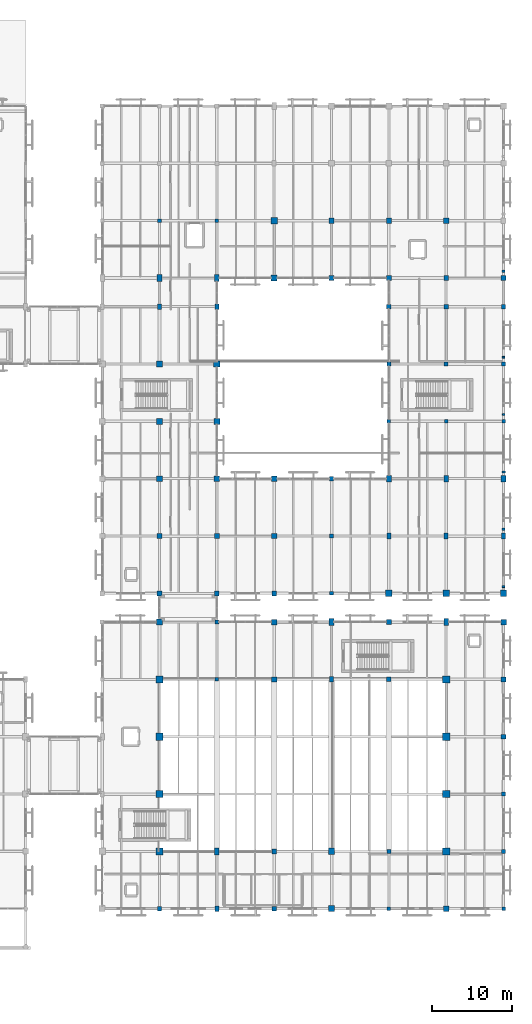
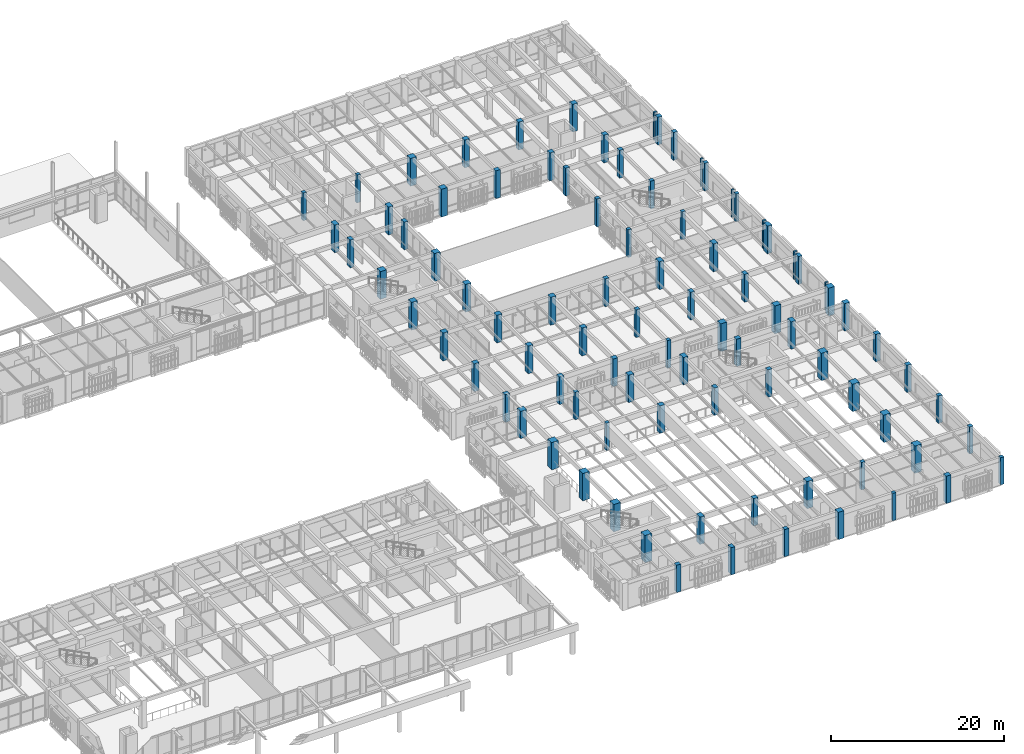
# One storey, part 17 of 170: 89 columns.
"""IFC4 building model written with IfcOpenShell, lengths in metres."""

from ifc_helpers import new_model, si_unit, direction, frame, origin, origin_2d, place, context, subcontext, project, spatial, rectangle, extrude, material, material_profile, profile_set, type_object, element, save


model = new_model("IFC4")

# Units and contexts
model_context = context("Model", 3, precision=1e-05, world=origin(), true_north=direction((0.0, 1.0)))
body_context = subcontext(model_context, "Body", "Model", "MODEL_VIEW")
ifc_project = project(units=[si_unit("LENGTHUNIT", "METRE"), si_unit("AREAUNIT", "SQUARE_METRE"), si_unit("VOLUMEUNIT", "CUBIC_METRE"), si_unit("PLANEANGLEUNIT", "RADIAN"), si_unit("MASSUNIT", "GRAM", prefix="KILO")], contexts=[model_context])

# Site, building, storey
site_placement = place(None, origin())
site = spatial("IfcSite", under=ifc_project, at=site_placement, CompositionType="ELEMENT")
building_placement = place(site_placement, origin())
building = spatial("IfcBuilding", under=site, at=building_placement, Name="Mazaris Harbour Polytechnic", CompositionType="ELEMENT")
storey_placement = place(building_placement, frame((0.0, 0.0, 5.39990234375)))
storey = spatial("IfcBuildingStorey", under=building, at=storey_placement, Name="L01", CompositionType="ELEMENT", Elevation=5.39990234375)

# Columns
ifc_material_1 = material(Name="Concrete C35/45", Category="concrete")
ifc_material_profile_1 = material_profile(ifc_material_1, rectangle(XDim=0.320068359375, YDim=0.219970703125, at=origin_2d()), Name="RECT320x220")
ifc_profile_set_1 = profile_set([ifc_material_profile_1], Name="Concrete C35/45")
column_type_1 = type_object("IfcColumnType", Name="Limestone Pilaster 320x220", PredefinedType="PILASTER", material=ifc_profile_set_1)
column_1_placement = place(storey_placement, frame((172.800048828125, 69.25, 0.0), z_axis=(0.0, 0.0, 1.0), x_axis=(1.0, 0.0, 0.0)))
element("IfcColumn", 1, at=column_1_placement, inside=storey, type_object=column_type_1, Name="V5 L01 Giant Order Pilaster 68", PredefinedType="PILASTER", context=body_context, shape_type="SweptSolid", body=[
    extrude(rectangle(XDim=0.320068359375, YDim=0.219970703125, at=origin_2d()), origin(), (0.0, 0.0, 1.0), 3.920166015625),
])
ifc_material_2 = material(Name="Concrete C35/45", Category="concrete")
ifc_material_profile_2 = material_profile(ifc_material_2, rectangle(XDim=0.360107421875, YDim=0.239990234375, at=origin_2d()), Name="RECT360x240")
ifc_profile_set_2 = profile_set([ifc_material_profile_2], Name="Concrete C35/45")
column_type_2 = type_object("IfcColumnType", Name="Limestone Pilaster 360x240", PredefinedType="PILASTER", material=ifc_profile_set_2)
for number, where, z_axis, x_axis, name in (
    (2, (172.800048828125, 47.64990234375, 0.0), (0.0, 0.0, 1.0), (1.0, 0.0, 0.0), "V5 L01 Giant Order Pilaster 65"),
    (3, (172.800048828125, 76.449951171875, 0.0), (0.0, 0.0, 1.0), (1.0, 0.0, 0.0), "V5 L01 Giant Order Pilaster 69"),
):
    element("IfcColumn", number, at=place(storey_placement, frame(where, z_axis=z_axis, x_axis=x_axis)), inside=storey, type_object=column_type_2, Name=name, PredefinedType="PILASTER", context=body_context, shape_type="SweptSolid", body=[
        extrude(rectangle(XDim=0.360107421875, YDim=0.239990234375, at=origin_2d()), origin(), (0.0, 0.0, 1.0), 3.920166015625),
    ])
ifc_material_3 = material(Name="Concrete C35/45", Category="concrete")
ifc_material_profile_3 = material_profile(ifc_material_3, rectangle(XDim=0.39990234375, YDim=0.260009765625, at=origin_2d()), Name="RECT400x260")
ifc_profile_set_3 = profile_set([ifc_material_profile_3], Name="Concrete C35/45")
column_type_3 = type_object("IfcColumnType", Name="Limestone Pilaster 400x260", PredefinedType="PILASTER", material=ifc_profile_set_3)
for number, where, z_axis, x_axis, name in (
    (4, (172.800048828125, 54.85009765625, 0.0), (0.0, 0.0, 1.0), (1.0, 0.0, 0.0), "V5 L01 Giant Order Pilaster 66"),
    (5, (172.800048828125, 87.25, 0.0), (0.0, 0.0, 1.0), (1.0, 0.0, 0.0), "V5 L01 Giant Order Pilaster 70"),
):
    element("IfcColumn", number, at=place(storey_placement, frame(where, z_axis=z_axis, x_axis=x_axis)), inside=storey, type_object=column_type_3, Name=name, PredefinedType="PILASTER", context=body_context, shape_type="SweptSolid", body=[
        extrude(rectangle(XDim=0.39990234375, YDim=0.260009765625, at=origin_2d()), origin(), (0.0, 0.0, 1.0), 3.920166015625),
    ])
ifc_material_4 = material(Name="Concrete C35/45", Category="concrete")
ifc_material_profile_4 = material_profile(ifc_material_4, rectangle(XDim=0.43994140625, YDim=0.280029296875, at=origin_2d()), Name="RECT440x280")
ifc_profile_set_4 = profile_set([ifc_material_profile_4], Name="Concrete C35/45")
column_type_4 = type_object("IfcColumnType", Name="Limestone Pilaster 440x280", PredefinedType="PILASTER", material=ifc_profile_set_4)
column_2_placement = place(storey_placement, frame((172.800048828125, 62.050048828125, 0.0), z_axis=(0.0, 0.0, 1.0), x_axis=(1.0, 0.0, 0.0)))
element("IfcColumn", 6, at=column_2_placement, inside=storey, type_object=column_type_4, Name="V5 L01 Giant Order Pilaster 67", PredefinedType="PILASTER", context=body_context, shape_type="SweptSolid", body=[
    extrude(rectangle(XDim=0.43994140625, YDim=0.280029296875, at=origin_2d()), origin(), (0.0, 0.0, 1.0), 3.920166015625),
])
ifc_material_5 = material(Name="Concrete C40/50", Category="concrete")
ifc_material_profile_5 = material_profile(ifc_material_5, rectangle(XDim=0.449951171875, YDim=0.449951171875, at=origin_2d()), Name="RECT450x450")
ifc_profile_set_5 = profile_set([ifc_material_profile_5], Name="Concrete C40/50")
column_type_5 = type_object("IfcColumnType", Name="RC Column 450x450", PredefinedType="COLUMN", material=ifc_profile_set_5)
column_3_placement = place(storey_placement, frame((136.800048828125, 36.0, 0.0), z_axis=(0.0, 0.0, 1.0), x_axis=(1.0, 0.0, 0.0)))
element("IfcColumn", 7, at=column_3_placement, inside=storey, type_object=column_type_5, Name="V2 L01 Column 279", PredefinedType="COLUMN", context=body_context, shape_type="SweptSolid", body=[
    extrude(rectangle(XDim=0.449951171875, YDim=0.449951171875, at=origin_2d()), origin(), (0.0, 0.0, 1.0), 3.85009765625),
])
for number, where, z_axis, x_axis, name in (
    (8, (129.60009765625, 93.60009765625, 0.0), (0.0, 0.0, 1.0), (1.0, 0.0, 0.0), "V5 L01 Column 1269"),
    (9, (136.800048828125, 93.60009765625, 0.0), (0.0, 0.0, 1.0), (1.0, 0.0, 0.0), "V5 L01 Column 1279"),
    (10, (158.39990234375, 68.39990234375, 0.0), (0.0, 0.0, 1.0), (1.0, 0.0, 0.0), "V5 L01 Column 1299"),
    (11, (165.60009765625, 68.39990234375, 0.0), (0.0, 0.0, 1.0), (1.0, 0.0, 0.0), "V5 L01 Column 1309"),
):
    element("IfcColumn", number, at=place(storey_placement, frame(where, z_axis=z_axis, x_axis=x_axis)), inside=storey, type_object=column_type_5, Name=name, PredefinedType="COLUMN", context=body_context, shape_type="SweptSolid", body=[
        extrude(rectangle(XDim=0.449951171875, YDim=0.449951171875, at=origin_2d()), origin(), (0.0, 0.0, 1.0), 3.920166015625),
    ])
ifc_material_6 = material(Name="Concrete C40/50", Category="concrete")
ifc_material_profile_6 = material_profile(ifc_material_6, rectangle(XDim=0.449951171875, YDim=0.449951171875, at=origin_2d()), Name="RECT450x450")
ifc_profile_set_6 = profile_set([ifc_material_profile_6], Name="Concrete C40/50")
column_type_6 = type_object("IfcColumnType", Name="RC Column 450x450 Exterior", PredefinedType="COLUMN", material=ifc_profile_set_6)
for number, where, z_axis, x_axis, name in (
    (12, (158.39990234375, 7.199951171875, 0.0), (0.0, 0.0, 1.0), (1.0, 0.0, 0.0), "V2 L01 Column 289"),
    (13, (172.800048828125, 7.199951171875, 0.0), (0.0, 0.0, 1.0), (1.0, 0.0, 0.0), "V2 L01 Column 299"),
):
    element("IfcColumn", number, at=place(storey_placement, frame(where, z_axis=z_axis, x_axis=x_axis)), inside=storey, type_object=column_type_6, Name=name, PredefinedType="COLUMN", context=body_context, shape_type="SweptSolid", body=[
        extrude(rectangle(XDim=0.449951171875, YDim=0.449951171875, at=origin_2d()), origin(), (0.0, 0.0, 1.0), 3.85009765625),
    ])
for number, where, z_axis, x_axis, name in (
    (14, (151.199951171875, 46.800048828125, 0.0), (0.0, 0.0, 1.0), (1.0, 0.0, 0.0), "V5 L01 Column 1289"),
    (15, (172.800048828125, 68.39990234375, 0.0), (0.0, 0.0, 1.0), (1.0, 0.0, 0.0), "V5 L01 Column 1319"),
):
    element("IfcColumn", number, at=place(storey_placement, frame(where, z_axis=z_axis, x_axis=x_axis)), inside=storey, type_object=column_type_6, Name=name, PredefinedType="COLUMN", context=body_context, shape_type="SweptSolid", body=[
        extrude(rectangle(XDim=0.449951171875, YDim=0.449951171875, at=origin_2d()), origin(), (0.0, 0.0, 1.0), 3.920166015625),
    ])
ifc_material_7 = material(Name="Concrete C40/50", Category="concrete")
ifc_material_profile_7 = material_profile(ifc_material_7, rectangle(XDim=0.5, YDim=0.5, at=origin_2d()), Name="RECT500x500")
ifc_profile_set_7 = profile_set([ifc_material_profile_7], Name="Concrete C40/50")
column_type_7 = type_object("IfcColumnType", Name="RC Column 500x500", PredefinedType="COLUMN", material=ifc_profile_set_7)
column_4_placement = place(storey_placement, frame((158.39990234375, 14.39990234375, 0.0), z_axis=(0.0, 0.0, 1.0), x_axis=(1.0, 0.0, 0.0)))
element("IfcColumn", 16, at=column_4_placement, inside=storey, type_object=column_type_7, Name="V2 L01 Column 290", PredefinedType="COLUMN", context=body_context, shape_type="SweptSolid", body=[
    extrude(rectangle(XDim=0.5, YDim=0.5, at=origin_2d()), origin(), (0.0, 0.0, 1.0), 3.85009765625),
])
for number, where, z_axis, x_axis, name in (
    (17, (151.199951171875, 54.0, 0.0), (0.0, 0.0, 1.0), (1.0, 0.0, 0.0), "V5 L01 Column 1290"),
    (18, (158.39990234375, 75.60009765625, 0.0), (0.0, 0.0, 1.0), (1.0, 0.0, 0.0), "V5 L01 Column 1300"),
    (19, (165.60009765625, 75.60009765625, 0.0), (0.0, 0.0, 1.0), (1.0, 0.0, 0.0), "V5 L01 Column 1310"),
):
    element("IfcColumn", number, at=place(storey_placement, frame(where, z_axis=z_axis, x_axis=x_axis)), inside=storey, type_object=column_type_7, Name=name, PredefinedType="COLUMN", context=body_context, shape_type="SweptSolid", body=[
        extrude(rectangle(XDim=0.5, YDim=0.5, at=origin_2d()), origin(), (0.0, 0.0, 1.0), 3.920166015625),
    ])
ifc_material_8 = material(Name="Concrete C40/50", Category="concrete")
ifc_material_profile_8 = material_profile(ifc_material_8, rectangle(XDim=0.5, YDim=0.5, at=origin_2d()), Name="RECT500x500")
ifc_profile_set_8 = profile_set([ifc_material_profile_8], Name="Concrete C40/50")
column_type_8 = type_object("IfcColumnType", Name="RC Column 500x500 Exterior", PredefinedType="COLUMN", material=ifc_profile_set_8)
for number, where, z_axis, x_axis, name in (
    (20, (136.800048828125, 43.199951171875, 0.0), (0.0, 0.0, 1.0), (1.0, 0.0, 0.0), "V2 L01 Column 280"),
    (21, (172.800048828125, 14.39990234375, 0.0), (0.0, 0.0, 1.0), (1.0, 0.0, 0.0), "V2 L01 Column 300"),
):
    element("IfcColumn", number, at=place(storey_placement, frame(where, z_axis=z_axis, x_axis=x_axis)), inside=storey, type_object=column_type_8, Name=name, PredefinedType="COLUMN", context=body_context, shape_type="SweptSolid", body=[
        extrude(rectangle(XDim=0.5, YDim=0.5, at=origin_2d()), origin(), (0.0, 0.0, 1.0), 3.85009765625),
    ])
column_5_placement = place(storey_placement, frame((172.800048828125, 75.60009765625, 0.0), z_axis=(0.0, 0.0, 1.0), x_axis=(1.0, 0.0, 0.0)))
element("IfcColumn", 22, at=column_5_placement, inside=storey, type_object=column_type_8, Name="V5 L01 Column 1320", PredefinedType="COLUMN", context=body_context, shape_type="SweptSolid", body=[
    extrude(rectangle(XDim=0.5, YDim=0.5, at=origin_2d()), origin(), (0.0, 0.0, 1.0), 3.920166015625),
])
ifc_material_9 = material(Name="Concrete C40/50", Category="concrete")
ifc_material_profile_9 = material_profile(ifc_material_9, rectangle(XDim=0.5, YDim=0.699951171875, at=origin_2d()), Name="RECT500x700")
ifc_profile_set_9 = profile_set([ifc_material_profile_9], Name="Concrete C40/50")
column_type_9 = type_object("IfcColumnType", Name="RC Column 500x700", PredefinedType="COLUMN", material=ifc_profile_set_9)
column_6_placement = place(storey_placement, frame((151.199951171875, 36.0, 0.0), z_axis=(0.0, 0.0, 1.0), x_axis=(1.0, 0.0, 0.0)))
element("IfcColumn", 23, at=column_6_placement, inside=storey, type_object=column_type_9, Name="V2 L01 Column 287", PredefinedType="COLUMN", context=body_context, shape_type="SweptSolid", body=[
    extrude(rectangle(XDim=0.5, YDim=0.699951171875, at=origin_2d()), origin(), (0.0, 0.0, 1.0), 3.85009765625),
])
for number, where, z_axis, x_axis, name in (
    (24, (129.60009765625, 82.800048828125, 0.0), (0.0, 0.0, 1.0), (1.0, 0.0, 0.0), "V5 L01 Column 1267"),
    (25, (136.800048828125, 82.800048828125, 0.0), (0.0, 0.0, 1.0), (1.0, 0.0, 0.0), "V5 L01 Column 1277"),
    (26, (158.39990234375, 54.0, 0.0), (0.0, 0.0, 1.0), (1.0, 0.0, 0.0), "V5 L01 Column 1297"),
    (27, (165.60009765625, 54.0, 0.0), (0.0, 0.0, 1.0), (1.0, 0.0, 0.0), "V5 L01 Column 1307"),
):
    element("IfcColumn", number, at=place(storey_placement, frame(where, z_axis=z_axis, x_axis=x_axis)), inside=storey, type_object=column_type_9, Name=name, PredefinedType="COLUMN", context=body_context, shape_type="SweptSolid", body=[
        extrude(rectangle(XDim=0.5, YDim=0.699951171875, at=origin_2d()), origin(), (0.0, 0.0, 1.0), 3.920166015625),
    ])
ifc_material_10 = material(Name="Concrete C40/50", Category="concrete")
ifc_material_profile_10 = material_profile(ifc_material_10, rectangle(XDim=0.5, YDim=0.699951171875, at=origin_2d()), Name="RECT500x700")
ifc_profile_set_10 = profile_set([ifc_material_profile_10], Name="Concrete C40/50")
column_type_10 = type_object("IfcColumnType", Name="RC Column 500x700 Exterior", PredefinedType="COLUMN", material=ifc_profile_set_10)
column_7_placement = place(storey_placement, frame((136.800048828125, 7.199951171875, 0.0), z_axis=(0.0, 0.0, 1.0), x_axis=(1.0, 0.0, 0.0)))
element("IfcColumn", 28, at=column_7_placement, inside=storey, type_object=column_type_10, Name="V2 L01 Column 277", PredefinedType="COLUMN", context=body_context, shape_type="SweptSolid", body=[
    extrude(rectangle(XDim=0.5, YDim=0.699951171875, at=origin_2d()), origin(), (0.0, 0.0, 1.0), 3.85009765625),
])
column_8_placement = place(storey_placement, frame((172.800048828125, 54.0, 0.0), z_axis=(0.0, 0.0, 1.0), x_axis=(1.0, 0.0, 0.0)))
element("IfcColumn", 29, at=column_8_placement, inside=storey, type_object=column_type_10, Name="V5 L01 Column 1317", PredefinedType="COLUMN", context=body_context, shape_type="SweptSolid", body=[
    extrude(rectangle(XDim=0.5, YDim=0.699951171875, at=origin_2d()), origin(), (0.0, 0.0, 1.0), 3.920166015625),
])
ifc_material_11 = material(Name="Concrete C40/50", Category="concrete")
ifc_material_profile_11 = material_profile(ifc_material_11, rectangle(XDim=0.550048828125, YDim=0.550048828125, at=origin_2d()), Name="RECT550x550")
ifc_profile_set_11 = profile_set([ifc_material_profile_11], Name="Concrete C40/50")
column_type_11 = type_object("IfcColumnType", Name="RC Column 550x550", PredefinedType="COLUMN", material=ifc_profile_set_11)
column_9_placement = place(storey_placement, frame((158.39990234375, 36.0, 0.0), z_axis=(0.0, 0.0, 1.0), x_axis=(1.0, 0.0, 0.0)))
element("IfcColumn", 30, at=column_9_placement, inside=storey, type_object=column_type_11, Name="V2 L01 Column 291", PredefinedType="COLUMN", context=body_context, shape_type="SweptSolid", body=[
    extrude(rectangle(XDim=0.550048828125, YDim=0.550048828125, at=origin_2d()), origin(), (0.0, 0.0, 1.0), 3.85009765625),
])
for number, where, z_axis, x_axis, name in (
    (31, (151.199951171875, 61.199951171875, 0.0), (0.0, 0.0, 1.0), (1.0, 0.0, 0.0), "V5 L01 Column 1291"),
    (32, (158.39990234375, 82.800048828125, 0.0), (0.0, 0.0, 1.0), (1.0, 0.0, 0.0), "V5 L01 Column 1301"),
    (33, (165.60009765625, 82.800048828125, 0.0), (0.0, 0.0, 1.0), (1.0, 0.0, 0.0), "V5 L01 Column 1311"),
):
    element("IfcColumn", number, at=place(storey_placement, frame(where, z_axis=z_axis, x_axis=x_axis)), inside=storey, type_object=column_type_11, Name=name, PredefinedType="COLUMN", context=body_context, shape_type="SweptSolid", body=[
        extrude(rectangle(XDim=0.550048828125, YDim=0.550048828125, at=origin_2d()), origin(), (0.0, 0.0, 1.0), 3.920166015625),
    ])
ifc_material_12 = material(Name="Concrete C40/50", Category="concrete")
ifc_material_profile_12 = material_profile(ifc_material_12, rectangle(XDim=0.550048828125, YDim=0.550048828125, at=origin_2d()), Name="RECT550x550")
ifc_profile_set_12 = profile_set([ifc_material_profile_12], Name="Concrete C40/50")
column_type_12 = type_object("IfcColumnType", Name="RC Column 550x550 Exterior", PredefinedType="COLUMN", material=ifc_profile_set_12)
for number, where, z_axis, x_axis, name in (
    (34, (129.60009765625, 7.199951171875, 0.0), (0.0, 0.0, 1.0), (1.0, 0.0, 0.0), "V2 L01 Column 271"),
    (35, (144.0, 7.199951171875, 0.0), (0.0, 0.0, 1.0), (1.0, 0.0, 0.0), "V2 L01 Column 281"),
    (36, (172.800048828125, 21.60009765625, 0.0), (0.0, 0.0, 1.0), (1.0, 0.0, 0.0), "V2 L01 Column 301"),
):
    element("IfcColumn", number, at=place(storey_placement, frame(where, z_axis=z_axis, x_axis=x_axis)), inside=storey, type_object=column_type_12, Name=name, PredefinedType="COLUMN", context=body_context, shape_type="SweptSolid", body=[
        extrude(rectangle(XDim=0.550048828125, YDim=0.550048828125, at=origin_2d()), origin(), (0.0, 0.0, 1.0), 3.85009765625),
    ])
column_10_placement = place(storey_placement, frame((172.800048828125, 82.800048828125, 0.0), z_axis=(0.0, 0.0, 1.0), x_axis=(1.0, 0.0, 0.0)))
element("IfcColumn", 37, at=column_10_placement, inside=storey, type_object=column_type_12, Name="V5 L01 Column 1321", PredefinedType="COLUMN", context=body_context, shape_type="SweptSolid", body=[
    extrude(rectangle(XDim=0.550048828125, YDim=0.550048828125, at=origin_2d()), origin(), (0.0, 0.0, 1.0), 3.920166015625),
])
ifc_material_13 = material(Name="Concrete C40/50", Category="concrete")
ifc_material_profile_13 = material_profile(ifc_material_13, rectangle(XDim=0.60009765625, YDim=0.60009765625, at=origin_2d()), Name="RECT600x600")
ifc_profile_set_13 = profile_set([ifc_material_profile_13], Name="Concrete C40/50")
column_type_13 = type_object("IfcColumnType", Name="RC Column 600x600", PredefinedType="COLUMN", material=ifc_profile_set_13)
column_11_placement = place(storey_placement, frame((144.0, 14.39990234375, 0.0), z_axis=(0.0, 0.0, 1.0), x_axis=(1.0, 0.0, 0.0)))
element("IfcColumn", 38, at=column_11_placement, inside=storey, type_object=column_type_13, Name="V2 L01 Column 282", PredefinedType="COLUMN", context=body_context, shape_type="SweptSolid", body=[
    extrude(rectangle(XDim=0.60009765625, YDim=0.60009765625, at=origin_2d()), origin(), (0.0, 0.0, 1.0), 3.85009765625),
])
for number, where, z_axis, x_axis, name in (
    (39, (151.199951171875, 86.39990234375, 0.0), (0.0, 0.0, 1.0), (1.0, 0.0, 0.0), "V5 L01 Column 1292"),
    (40, (158.39990234375, 86.39990234375, 0.0), (0.0, 0.0, 1.0), (1.0, 0.0, 0.0), "V5 L01 Column 1302"),
    (41, (165.60009765625, 86.39990234375, 0.0), (0.0, 0.0, 1.0), (1.0, 0.0, 0.0), "V5 L01 Column 1312"),
):
    element("IfcColumn", number, at=place(storey_placement, frame(where, z_axis=z_axis, x_axis=x_axis)), inside=storey, type_object=column_type_13, Name=name, PredefinedType="COLUMN", context=body_context, shape_type="SweptSolid", body=[
        extrude(rectangle(XDim=0.60009765625, YDim=0.60009765625, at=origin_2d()), origin(), (0.0, 0.0, 1.0), 3.920166015625),
    ])
ifc_material_14 = material(Name="Concrete C40/50", Category="concrete")
ifc_material_profile_14 = material_profile(ifc_material_14, rectangle(XDim=0.60009765625, YDim=0.60009765625, at=origin_2d()), Name="RECT600x600")
ifc_profile_set_14 = profile_set([ifc_material_profile_14], Name="Concrete C40/50")
column_type_14 = type_object("IfcColumnType", Name="RC Column 600x600 Exterior", PredefinedType="COLUMN", material=ifc_profile_set_14)
for number, where, z_axis, x_axis, name in (
    (42, (158.39990234375, 43.199951171875, 0.0), (0.0, 0.0, 1.0), (1.0, 0.0, 0.0), "V2 L01 Column 292"),
    (43, (172.800048828125, 28.800048828125, 0.0), (0.0, 0.0, 1.0), (1.0, 0.0, 0.0), "V2 L01 Column 302"),
):
    element("IfcColumn", number, at=place(storey_placement, frame(where, z_axis=z_axis, x_axis=x_axis)), inside=storey, type_object=column_type_14, Name=name, PredefinedType="COLUMN", context=body_context, shape_type="SweptSolid", body=[
        extrude(rectangle(XDim=0.60009765625, YDim=0.60009765625, at=origin_2d()), origin(), (0.0, 0.0, 1.0), 3.85009765625),
    ])
for number, where, z_axis, x_axis, name in (
    (44, (129.60009765625, 46.800048828125, 0.0), (0.0, 0.0, 1.0), (1.0, 0.0, 0.0), "V5 L01 Column 1262"),
    (45, (136.800048828125, 46.800048828125, 0.0), (0.0, 0.0, 1.0), (1.0, 0.0, 0.0), "V5 L01 Column 1272"),
    (46, (144.0, 46.800048828125, 0.0), (0.0, 0.0, 1.0), (1.0, 0.0, 0.0), "V5 L01 Column 1282"),
    (47, (172.800048828125, 86.39990234375, 0.0), (0.0, 0.0, 1.0), (1.0, 0.0, 0.0), "V5 L01 Column 1322"),
):
    element("IfcColumn", number, at=place(storey_placement, frame(where, z_axis=z_axis, x_axis=x_axis)), inside=storey, type_object=column_type_14, Name=name, PredefinedType="COLUMN", context=body_context, shape_type="SweptSolid", body=[
        extrude(rectangle(XDim=0.60009765625, YDim=0.60009765625, at=origin_2d()), origin(), (0.0, 0.0, 1.0), 3.920166015625),
    ])
ifc_material_15 = material(Name="Concrete C40/50", Category="concrete")
ifc_material_profile_15 = material_profile(ifc_material_15, rectangle(XDim=0.60009765625, YDim=0.85009765625, at=origin_2d()), Name="RECT600x850")
ifc_profile_set_15 = profile_set([ifc_material_profile_15], Name="Concrete C40/50")
column_type_15 = type_object("IfcColumnType", Name="RC Column 600x850", PredefinedType="COLUMN", material=ifc_profile_set_15)
column_12_placement = place(storey_placement, frame((136.800048828125, 14.39990234375, 0.0), z_axis=(0.0, 0.0, 1.0), x_axis=(1.0, 0.0, 0.0)))
element("IfcColumn", 48, at=column_12_placement, inside=storey, type_object=column_type_15, Name="V2 L01 Column 278", PredefinedType="COLUMN", context=body_context, shape_type="SweptSolid", body=[
    extrude(rectangle(XDim=0.60009765625, YDim=0.85009765625, at=origin_2d()), origin(), (0.0, 0.0, 1.0), 3.85009765625),
])
for number, where, z_axis, x_axis, name in (
    (49, (129.60009765625, 86.39990234375, 0.0), (0.0, 0.0, 1.0), (1.0, 0.0, 0.0), "V5 L01 Column 1268"),
    (50, (136.800048828125, 86.39990234375, 0.0), (0.0, 0.0, 1.0), (1.0, 0.0, 0.0), "V5 L01 Column 1278"),
    (51, (158.39990234375, 61.199951171875, 0.0), (0.0, 0.0, 1.0), (1.0, 0.0, 0.0), "V5 L01 Column 1298"),
    (52, (165.60009765625, 61.199951171875, 0.0), (0.0, 0.0, 1.0), (1.0, 0.0, 0.0), "V5 L01 Column 1308"),
):
    element("IfcColumn", number, at=place(storey_placement, frame(where, z_axis=z_axis, x_axis=x_axis)), inside=storey, type_object=column_type_15, Name=name, PredefinedType="COLUMN", context=body_context, shape_type="SweptSolid", body=[
        extrude(rectangle(XDim=0.60009765625, YDim=0.85009765625, at=origin_2d()), origin(), (0.0, 0.0, 1.0), 3.920166015625),
    ])
ifc_material_16 = material(Name="Concrete C40/50", Category="concrete")
ifc_material_profile_16 = material_profile(ifc_material_16, rectangle(XDim=0.60009765625, YDim=0.85009765625, at=origin_2d()), Name="RECT600x850")
ifc_profile_set_16 = profile_set([ifc_material_profile_16], Name="Concrete C40/50")
column_type_16 = type_object("IfcColumnType", Name="RC Column 600x850 Exterior", PredefinedType="COLUMN", material=ifc_profile_set_16)
for number, where, z_axis, x_axis, name in (
    (53, (151.199951171875, 43.199951171875, 0.0), (0.0, 0.0, 1.0), (1.0, 0.0, 0.0), "V2 L01 Column 288"),
    (54, (165.60009765625, 43.199951171875, 0.0), (0.0, 0.0, 1.0), (1.0, 0.0, 0.0), "V2 L01 Column 298"),
):
    element("IfcColumn", number, at=place(storey_placement, frame(where, z_axis=z_axis, x_axis=x_axis)), inside=storey, type_object=column_type_16, Name=name, PredefinedType="COLUMN", context=body_context, shape_type="SweptSolid", body=[
        extrude(rectangle(XDim=0.60009765625, YDim=0.85009765625, at=origin_2d()), origin(), (0.0, 0.0, 1.0), 3.85009765625),
    ])
column_13_placement = place(storey_placement, frame((172.800048828125, 61.199951171875, 0.0), z_axis=(0.0, 0.0, 1.0), x_axis=(1.0, 0.0, 0.0)))
element("IfcColumn", 55, at=column_13_placement, inside=storey, type_object=column_type_16, Name="V5 L01 Column 1318", PredefinedType="COLUMN", context=body_context, shape_type="SweptSolid", body=[
    extrude(rectangle(XDim=0.60009765625, YDim=0.85009765625, at=origin_2d()), origin(), (0.0, 0.0, 1.0), 3.920166015625),
])
ifc_material_17 = material(Name="Concrete C40/50", Category="concrete")
ifc_material_profile_17 = material_profile(ifc_material_17, rectangle(XDim=0.64990234375, YDim=0.64990234375, at=origin_2d()), Name="RECT650x650")
ifc_profile_set_17 = profile_set([ifc_material_profile_17], Name="Concrete C40/50")
column_type_17 = type_object("IfcColumnType", Name="RC Column 650x650", PredefinedType="COLUMN", material=ifc_profile_set_17)
column_14_placement = place(storey_placement, frame((144.0, 36.0, 0.0), z_axis=(0.0, 0.0, 1.0), x_axis=(1.0, 0.0, 0.0)))
element("IfcColumn", 56, at=column_14_placement, inside=storey, type_object=column_type_17, Name="V2 L01 Column 283", PredefinedType="COLUMN", context=body_context, shape_type="SweptSolid", body=[
    extrude(rectangle(XDim=0.64990234375, YDim=0.64990234375, at=origin_2d()), origin(), (0.0, 0.0, 1.0), 3.85009765625),
])
for number, where, z_axis, x_axis, name in (
    (57, (129.60009765625, 54.0, 0.0), (0.0, 0.0, 1.0), (1.0, 0.0, 0.0), "V5 L01 Column 1263"),
    (58, (136.800048828125, 54.0, 0.0), (0.0, 0.0, 1.0), (1.0, 0.0, 0.0), "V5 L01 Column 1273"),
    (59, (144.0, 54.0, 0.0), (0.0, 0.0, 1.0), (1.0, 0.0, 0.0), "V5 L01 Column 1283"),
    (60, (151.199951171875, 93.60009765625, 0.0), (0.0, 0.0, 1.0), (1.0, 0.0, 0.0), "V5 L01 Column 1293"),
    (61, (158.39990234375, 93.60009765625, 0.0), (0.0, 0.0, 1.0), (1.0, 0.0, 0.0), "V5 L01 Column 1303"),
    (62, (165.60009765625, 93.60009765625, 0.0), (0.0, 0.0, 1.0), (1.0, 0.0, 0.0), "V5 L01 Column 1313"),
):
    element("IfcColumn", number, at=place(storey_placement, frame(where, z_axis=z_axis, x_axis=x_axis)), inside=storey, type_object=column_type_17, Name=name, PredefinedType="COLUMN", context=body_context, shape_type="SweptSolid", body=[
        extrude(rectangle(XDim=0.64990234375, YDim=0.64990234375, at=origin_2d()), origin(), (0.0, 0.0, 1.0), 3.920166015625),
    ])
ifc_material_18 = material(Name="Concrete C40/50", Category="concrete")
ifc_material_profile_18 = material_profile(ifc_material_18, rectangle(XDim=0.64990234375, YDim=0.64990234375, at=origin_2d()), Name="RECT650x650")
ifc_profile_set_18 = profile_set([ifc_material_profile_18], Name="Concrete C40/50")
column_type_18 = type_object("IfcColumnType", Name="RC Column 650x650 Exterior", PredefinedType="COLUMN", material=ifc_profile_set_18)
for number, where, z_axis, x_axis, name in (
    (63, (165.60009765625, 7.199951171875, 0.0), (0.0, 0.0, 1.0), (1.0, 0.0, 0.0), "V2 L01 Column 293"),
    (64, (172.800048828125, 36.0, 0.0), (0.0, 0.0, 1.0), (1.0, 0.0, 0.0), "V2 L01 Column 303"),
):
    element("IfcColumn", number, at=place(storey_placement, frame(where, z_axis=z_axis, x_axis=x_axis)), inside=storey, type_object=column_type_18, Name=name, PredefinedType="COLUMN", context=body_context, shape_type="SweptSolid", body=[
        extrude(rectangle(XDim=0.64990234375, YDim=0.64990234375, at=origin_2d()), origin(), (0.0, 0.0, 1.0), 3.85009765625),
    ])
ifc_material_19 = material(Name="Concrete C40/50", Category="concrete")
ifc_material_profile_19 = material_profile(ifc_material_19, rectangle(XDim=0.699951171875, YDim=0.699951171875, at=origin_2d()), Name="RECT700x700")
ifc_profile_set_19 = profile_set([ifc_material_profile_19], Name="Concrete C40/50")
column_type_19 = type_object("IfcColumnType", Name="RC Column 700x700", PredefinedType="COLUMN", material=ifc_profile_set_19)
for number, where, z_axis, x_axis, name in (
    (65, (129.60009765625, 61.199951171875, 0.0), (0.0, 0.0, 1.0), (1.0, 0.0, 0.0), "V5 L01 Column 1264"),
    (66, (136.800048828125, 61.199951171875, 0.0), (0.0, 0.0, 1.0), (1.0, 0.0, 0.0), "V5 L01 Column 1274"),
    (67, (144.0, 61.199951171875, 0.0), (0.0, 0.0, 1.0), (1.0, 0.0, 0.0), "V5 L01 Column 1284"),
):
    element("IfcColumn", number, at=place(storey_placement, frame(where, z_axis=z_axis, x_axis=x_axis)), inside=storey, type_object=column_type_19, Name=name, PredefinedType="COLUMN", context=body_context, shape_type="SweptSolid", body=[
        extrude(rectangle(XDim=0.699951171875, YDim=0.699951171875, at=origin_2d()), origin(), (0.0, 0.0, 1.0), 3.920166015625),
    ])
ifc_material_20 = material(Name="Concrete C40/50", Category="concrete")
ifc_material_profile_20 = material_profile(ifc_material_20, rectangle(XDim=0.699951171875, YDim=0.699951171875, at=origin_2d()), Name="RECT700x700")
ifc_profile_set_20 = profile_set([ifc_material_profile_20], Name="Concrete C40/50")
column_type_20 = type_object("IfcColumnType", Name="RC Column 700x700 Exterior", PredefinedType="COLUMN", material=ifc_profile_set_20)
for number, where, z_axis, x_axis, name in (
    (68, (144.0, 43.199951171875, 0.0), (0.0, 0.0, 1.0), (1.0, 0.0, 0.0), "V2 L01 Column 284"),
    (69, (172.800048828125, 43.199951171875, 0.0), (0.0, 0.0, 1.0), (1.0, 0.0, 0.0), "V2 L01 Column 304"),
):
    element("IfcColumn", number, at=place(storey_placement, frame(where, z_axis=z_axis, x_axis=x_axis)), inside=storey, type_object=column_type_20, Name=name, PredefinedType="COLUMN", context=body_context, shape_type="SweptSolid", body=[
        extrude(rectangle(XDim=0.699951171875, YDim=0.699951171875, at=origin_2d()), origin(), (0.0, 0.0, 1.0), 3.85009765625),
    ])
ifc_material_21 = material(Name="Concrete C40/50", Category="concrete")
ifc_material_profile_21 = material_profile(ifc_material_21, rectangle(XDim=0.75, YDim=0.75, at=origin_2d()), Name="RECT750x750")
ifc_profile_set_21 = profile_set([ifc_material_profile_21], Name="Concrete C40/50")
column_type_21 = type_object("IfcColumnType", Name="RC Column 750x750", PredefinedType="COLUMN", material=ifc_profile_set_21)
for number, where, z_axis, x_axis, name in (
    (70, (129.60009765625, 68.39990234375, 0.0), (0.0, 0.0, 1.0), (1.0, 0.0, 0.0), "V5 L01 Column 1265"),
    (71, (136.800048828125, 68.39990234375, 0.0), (0.0, 0.0, 1.0), (1.0, 0.0, 0.0), "V5 L01 Column 1275"),
    (72, (144.0, 86.39990234375, 0.0), (0.0, 0.0, 1.0), (1.0, 0.0, 0.0), "V5 L01 Column 1285"),
):
    element("IfcColumn", number, at=place(storey_placement, frame(where, z_axis=z_axis, x_axis=x_axis)), inside=storey, type_object=column_type_21, Name=name, PredefinedType="COLUMN", context=body_context, shape_type="SweptSolid", body=[
        extrude(rectangle(XDim=0.75, YDim=0.75, at=origin_2d()), origin(), (0.0, 0.0, 1.0), 3.920166015625),
    ])
ifc_material_22 = material(Name="Concrete C40/50", Category="concrete")
ifc_material_profile_22 = material_profile(ifc_material_22, rectangle(XDim=0.75, YDim=0.75, at=origin_2d()), Name="RECT750x750")
ifc_profile_set_22 = profile_set([ifc_material_profile_22], Name="Concrete C40/50")
column_type_22 = type_object("IfcColumnType", Name="RC Column 750x750 Exterior", PredefinedType="COLUMN", material=ifc_profile_set_22)
column_15_placement = place(storey_placement, frame((151.199951171875, 7.199951171875, 0.0), z_axis=(0.0, 0.0, 1.0), x_axis=(1.0, 0.0, 0.0)))
element("IfcColumn", 73, at=column_15_placement, inside=storey, type_object=column_type_22, Name="V2 L01 Column 285", PredefinedType="COLUMN", context=body_context, shape_type="SweptSolid", body=[
    extrude(rectangle(XDim=0.75, YDim=0.75, at=origin_2d()), origin(), (0.0, 0.0, 1.0), 3.85009765625),
])
ifc_material_23 = material(Name="Concrete C40/50", Category="concrete")
ifc_material_profile_23 = material_profile(ifc_material_23, rectangle(XDim=0.800048828125, YDim=0.800048828125, at=origin_2d()), Name="RECT800x800")
ifc_profile_set_23 = profile_set([ifc_material_profile_23], Name="Concrete C40/50")
column_type_23 = type_object("IfcColumnType", Name="RC Column 800x800", PredefinedType="COLUMN", material=ifc_profile_set_23)
column_16_placement = place(storey_placement, frame((151.199951171875, 14.39990234375, 0.0), z_axis=(0.0, 0.0, 1.0), x_axis=(1.0, 0.0, 0.0)))
element("IfcColumn", 74, at=column_16_placement, inside=storey, type_object=column_type_23, Name="V2 L01 Column 286", PredefinedType="COLUMN", context=body_context, shape_type="SweptSolid", body=[
    extrude(rectangle(XDim=0.800048828125, YDim=0.800048828125, at=origin_2d()), origin(), (0.0, 0.0, 1.0), 3.85009765625),
])
for number, where, z_axis, x_axis, name in (
    (75, (129.60009765625, 75.60009765625, 0.0), (0.0, 0.0, 1.0), (1.0, 0.0, 0.0), "V5 L01 Column 1266"),
    (76, (136.800048828125, 75.60009765625, 0.0), (0.0, 0.0, 1.0), (1.0, 0.0, 0.0), "V5 L01 Column 1276"),
    (77, (144.0, 93.60009765625, 0.0), (0.0, 0.0, 1.0), (1.0, 0.0, 0.0), "V5 L01 Column 1286"),
):
    element("IfcColumn", number, at=place(storey_placement, frame(where, z_axis=z_axis, x_axis=x_axis)), inside=storey, type_object=column_type_23, Name=name, PredefinedType="COLUMN", context=body_context, shape_type="SweptSolid", body=[
        extrude(rectangle(XDim=0.800048828125, YDim=0.800048828125, at=origin_2d()), origin(), (0.0, 0.0, 1.0), 3.920166015625),
    ])
ifc_material_24 = material(Name="Concrete C40/50", Category="concrete")
ifc_material_profile_24 = material_profile(ifc_material_24, rectangle(XDim=0.800048828125, YDim=0.800048828125, at=origin_2d()), Name="RECT800x800")
ifc_profile_set_24 = profile_set([ifc_material_profile_24], Name="Concrete C40/50")
column_type_24 = type_object("IfcColumnType", Name="RC Column 800x800 Exterior", PredefinedType="COLUMN", material=ifc_profile_set_24)
column_17_placement = place(storey_placement, frame((129.60009765625, 43.199951171875, 0.0), z_axis=(0.0, 0.0, 1.0), x_axis=(1.0, 0.0, 0.0)))
element("IfcColumn", 78, at=column_17_placement, inside=storey, type_object=column_type_24, Name="V2 L01 Column 276", PredefinedType="COLUMN", context=body_context, shape_type="SweptSolid", body=[
    extrude(rectangle(XDim=0.800048828125, YDim=0.800048828125, at=origin_2d()), origin(), (0.0, 0.0, 1.0), 3.85009765625),
])
for number, where, z_axis, x_axis, name in (
    (79, (158.39990234375, 46.800048828125, 0.0), (0.0, 0.0, 1.0), (1.0, 0.0, 0.0), "V5 L01 Column 1296"),
    (80, (165.60009765625, 46.800048828125, 0.0), (0.0, 0.0, 1.0), (1.0, 0.0, 0.0), "V5 L01 Column 1306"),
    (81, (172.800048828125, 46.800048828125, 0.0), (0.0, 0.0, 1.0), (1.0, 0.0, 0.0), "V5 L01 Column 1316"),
):
    element("IfcColumn", number, at=place(storey_placement, frame(where, z_axis=z_axis, x_axis=x_axis)), inside=storey, type_object=column_type_24, Name=name, PredefinedType="COLUMN", context=body_context, shape_type="SweptSolid", body=[
        extrude(rectangle(XDim=0.800048828125, YDim=0.800048828125, at=origin_2d()), origin(), (0.0, 0.0, 1.0), 3.920166015625),
    ])
ifc_material_25 = material(Name="Concrete C40/50", Category="concrete")
ifc_material_profile_25 = material_profile(ifc_material_25, rectangle(XDim=0.89990234375, YDim=0.89990234375, at=origin_2d()), Name="RECT900x900")
ifc_profile_set_25 = profile_set([ifc_material_profile_25], Name="Concrete C40/50")
column_type_25 = type_object("IfcColumnType", Name="RC Column 900x900", PredefinedType="COLUMN", material=ifc_profile_set_25)
for number, where, z_axis, x_axis, name in (
    (82, (129.60009765625, 14.39990234375, 0.0), (0.0, 0.0, 1.0), (1.0, 0.0, 0.0), "V2 L01 Column 272"),
    (83, (129.60009765625, 21.60009765625, 0.0), (0.0, 0.0, 1.0), (1.0, 0.0, 0.0), "V2 L01 Column 273"),
    (84, (129.60009765625, 28.800048828125, 0.0), (0.0, 0.0, 1.0), (1.0, 0.0, 0.0), "V2 L01 Column 274"),
    (85, (129.60009765625, 36.0, 0.0), (0.0, 0.0, 1.0), (1.0, 0.0, 0.0), "V2 L01 Column 275"),
    (86, (165.60009765625, 14.39990234375, 0.0), (0.0, 0.0, 1.0), (1.0, 0.0, 0.0), "V2 L01 Column 294"),
    (87, (165.60009765625, 21.60009765625, 0.0), (0.0, 0.0, 1.0), (1.0, 0.0, 0.0), "V2 L01 Column 295"),
    (88, (165.60009765625, 28.800048828125, 0.0), (0.0, 0.0, 1.0), (1.0, 0.0, 0.0), "V2 L01 Column 296"),
    (89, (165.60009765625, 36.0, 0.0), (0.0, 0.0, 1.0), (1.0, 0.0, 0.0), "V2 L01 Column 297"),
):
    element("IfcColumn", number, at=place(storey_placement, frame(where, z_axis=z_axis, x_axis=x_axis)), inside=storey, type_object=column_type_25, Name=name, PredefinedType="COLUMN", context=body_context, shape_type="SweptSolid", body=[
        extrude(rectangle(XDim=0.89990234375, YDim=0.89990234375, at=origin_2d()), origin(), (0.0, 0.0, 1.0), 3.85009765625),
    ])

save(model, "model.ifc")
